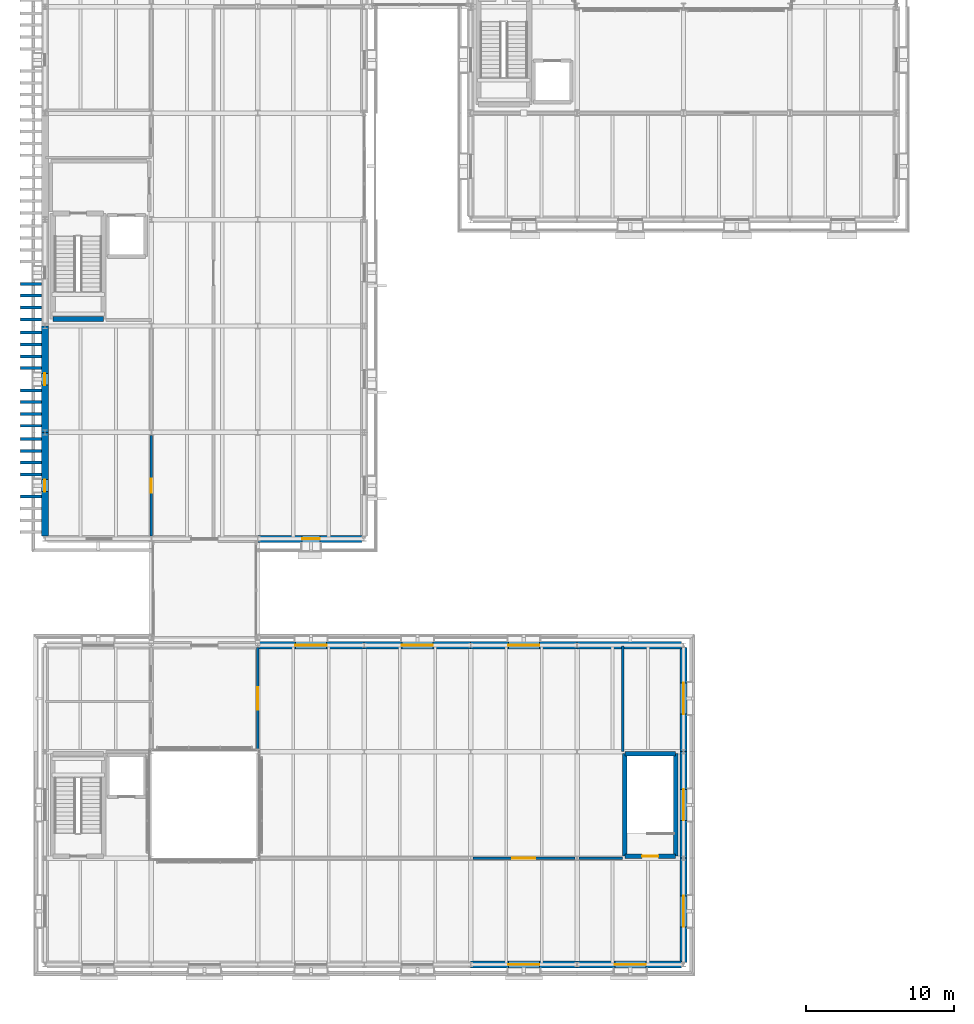
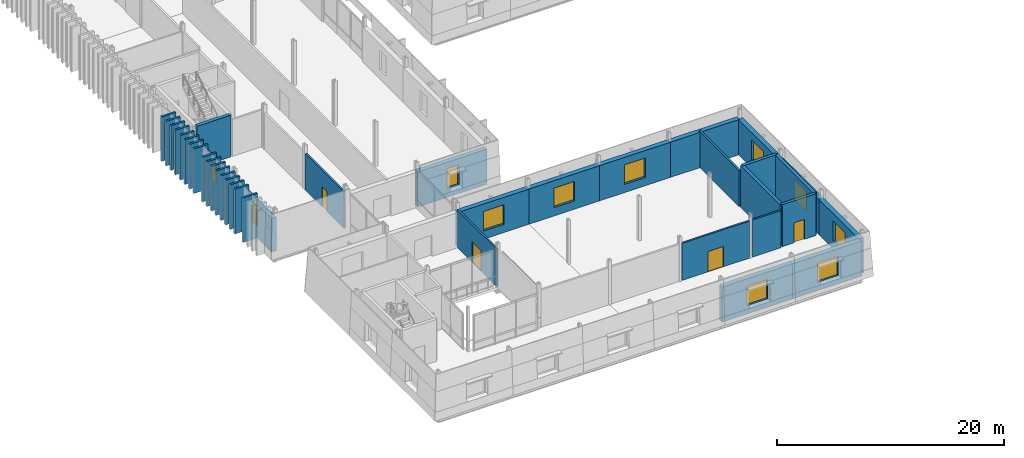
# One storey, part 75 of 121: 39 walls, 11 windows, 4 doors, 15 openings.
"""IFC4 building model written with IfcOpenShell, lengths in metres."""

from ifc_helpers import new_model, si_unit, direction, frame, frame_2d, origin, place, context, subcontext, project, spatial, rectangle, extrude, material, layer, layer_set, type_object, element, fill, save


model = new_model("IFC4")

# Units and contexts
model_context = context("Model", 3, precision=1e-05, world=origin(), true_north=direction((0.0, 1.0)))
body_context = subcontext(model_context, "Body", "Model", "MODEL_VIEW")
ifc_project = project(units=[si_unit("LENGTHUNIT", "METRE"), si_unit("AREAUNIT", "SQUARE_METRE"), si_unit("VOLUMEUNIT", "CUBIC_METRE"), si_unit("PLANEANGLEUNIT", "RADIAN"), si_unit("MASSUNIT", "GRAM", prefix="KILO")], contexts=[model_context])

# Site, building, storey
site_placement = place(None, origin())
site = spatial("IfcSite", under=ifc_project, at=site_placement, CompositionType="ELEMENT")
building_placement = place(site_placement, origin())
building = spatial("IfcBuilding", under=site, at=building_placement, Name="Narikvali Park Central Library", CompositionType="ELEMENT")
storey_placement = place(building_placement, frame((0.0, 0.0, 5.39990234375)))
storey = spatial("IfcBuildingStorey", under=building, at=storey_placement, Name="L01", CompositionType="ELEMENT", Elevation=5.39990234375)

# Walls
ifc_material_1 = material(Name="Kiln-Fired Terracotta Red Brick Masonry", Category="masonry")
ifc_layer_1 = layer(ifc_material_1, 0.199951171875, Name="Kiln-Fired Terracotta Red Brick Masonry")
ifc_layer_set_1 = layer_set([ifc_layer_1], Name="Kiln-Fired Terracotta Red Brick Masonry")
wall_type_1 = type_object("IfcWallType", Name="Kiln-Fired Red Brick Vertical Fin Wall 200", PredefinedType="SOLIDWALL", material=ifc_layer_set_1)
for number, where, z_axis, x_axis, name in (
    (1, (-1.659912109375, 31.64990234375, 0.0), (0.0, 0.0, 1.0), (1.0, 0.0, 0.0), "West Stacks Red Brick Vertical Fin Pier 014"),
    (2, (-1.659912109375, 33.14990234375, 0.0), (0.0, 0.0, 1.0), (1.0, 0.0, 0.0), "West Stacks Red Brick Vertical Fin Pier 018"),
    (3, (-1.659912109375, 33.949951171875, 0.0), (0.0, 0.0, 1.0), (1.0, 0.0, 0.0), "West Stacks Red Brick Vertical Fin Pier 022"),
    (4, (-1.659912109375, 34.75, 0.0), (0.0, 0.0, 1.0), (1.0, 0.0, 0.0), "West Stacks Red Brick Vertical Fin Pier 026"),
    (5, (-1.659912109375, 35.550048828125, 0.0), (0.0, 0.0, 1.0), (1.0, 0.0, 0.0), "West Stacks Red Brick Vertical Fin Pier 030"),
    (6, (-1.659912109375, 36.449951171875, 0.0), (0.0, 0.0, 1.0), (1.0, 0.0, 0.0), "West Stacks Red Brick Vertical Fin Pier 034"),
    (7, (-1.659912109375, 37.25, 0.0), (0.0, 0.0, 1.0), (1.0, 0.0, 0.0), "West Stacks Red Brick Vertical Fin Pier 039"),
    (8, (-1.659912109375, 38.050048828125, 0.0), (0.0, 0.0, 1.0), (1.0, 0.0, 0.0), "West Stacks Red Brick Vertical Fin Pier 044"),
    (9, (-1.659912109375, 38.85009765625, 0.0), (0.0, 0.0, 1.0), (1.0, 0.0, 0.0), "West Stacks Red Brick Vertical Fin Pier 049"),
    (10, (-1.659912109375, 40.35009765625, 0.0), (0.0, 0.0, 1.0), (1.0, 0.0, 0.0), "West Stacks Red Brick Vertical Fin Pier 054"),
    (11, (-1.659912109375, 41.14990234375, 0.0), (0.0, 0.0, 1.0), (1.0, 0.0, 0.0), "West Stacks Red Brick Vertical Fin Pier 059"),
    (12, (-1.659912109375, 41.949951171875, 0.0), (0.0, 0.0, 1.0), (1.0, 0.0, 0.0), "West Stacks Red Brick Vertical Fin Pier 064"),
    (13, (-1.659912109375, 42.75, 0.0), (0.0, 0.0, 1.0), (1.0, 0.0, 0.0), "West Stacks Red Brick Vertical Fin Pier 069"),
    (14, (-1.659912109375, 43.64990234375, 0.0), (0.0, 0.0, 1.0), (1.0, 0.0, 0.0), "West Stacks Red Brick Vertical Fin Pier 074"),
    (15, (-1.659912109375, 44.449951171875, 0.0), (0.0, 0.0, 1.0), (1.0, 0.0, 0.0), "West Stacks Red Brick Vertical Fin Pier 080"),
    (16, (-1.659912109375, 45.25, 0.0), (0.0, 0.0, 1.0), (1.0, 0.0, 0.0), "West Stacks Red Brick Vertical Fin Pier 086"),
    (17, (-1.659912109375, 46.050048828125, 0.0), (0.0, 0.0, 1.0), (1.0, 0.0, 0.0), "West Stacks Red Brick Vertical Fin Pier 092"),
):
    element("IfcWall", number, at=place(storey_placement, frame(where, z_axis=z_axis, x_axis=x_axis)), inside=storey, type_object=wall_type_1, Name=name, PredefinedType="SOLIDWALL", context=body_context, shape_type="SweptSolid", body=[
        extrude(rectangle(XDim=1.43994140625, YDim=0.199951171875, at=frame_2d((0.719970703125, 0.0))), origin(), (0.0, 0.0, 1.0), 4.800048828125),
    ])

# Wall, opening, door
ifc_material_2 = material(Name="Acoustic Gypsum on Steel Studs", Category="steel")
ifc_layer_2 = layer(ifc_material_2, 0.179931640625, Name="Acoustic Gypsum on Steel Studs")
ifc_layer_set_2 = layer_set([ifc_layer_2], Name="Acoustic Gypsum on Steel Studs")
wall_type_2 = type_object("IfcWallType", Name="Reading Room Acoustic Partition 180", PredefinedType="PARTITIONING", material=ifc_layer_set_2)
wall_1_placement = place(storey_placement, frame((28.944091796875, 7.199951171875, 0.0), z_axis=(0.0, 0.0, 1.0), x_axis=(1.0, 0.0, 0.0)))
wall_1 = element("IfcWall", 18, at=wall_1_placement, inside=storey, type_object=wall_type_2, Name="Children Digital Storytelling Studio Partition S", PredefinedType="PARTITIONING", context=body_context, shape_type="SweptSolid", body=[
    extrude(rectangle(XDim=6.911865234375, YDim=0.179931640625, at=frame_2d((3.4560546875, 0.0))), origin(), (0.0, 0.0, 1.0), 4.005126953125),
])
opening_1_placement = place(wall_1_placement, frame((2.680908203125, 0.0, 0.0)))
opening_1 = element("IfcOpeningElement", 19, at=opening_1_placement, cuts=wall_1, Name="Opening ID-0055", PredefinedType="OPENING", context=body_context, shape_type="SweptSolid", body=[
    extrude(rectangle(XDim=1.550048828125, YDim=2.199951171875, at=frame_2d((0.77490234375, 1.10009765625))), frame((0.0, 0.10205078125, 0.0), z_axis=(0.0, -1.0, 0.0), x_axis=(1.0, 0.0, 0.0)), (0.0, 0.0, 1.0), 0.203857421875),
])
ifc_material_3 = material(Name="Caucasian Oak with Vision Panel")
door_type_1 = type_object("IfcDoorType", Name="Children Library Colourful Oak Door 1550x2200", OperationType="DOUBLE_DOOR_SINGLE_SWING", PredefinedType="DOOR", material=ifc_material_3)
door_1_placement = place(opening_1_placement, origin())
door_1 = element("IfcDoor", 20, at=door_1_placement, inside=storey, type_object=door_type_1, Name="Children Digital Storytelling Studio Door ID-0055", OperationType="DOUBLE_DOOR_SINGLE_SWING", OverallHeight=2.199951171875, OverallWidth=1.550048828125, PredefinedType="DOOR", context=body_context, shape_type="SweptSolid", body=[
    extrude(rectangle(XDim=1.550048828125, YDim=2.199951171875, at=frame_2d((0.77490234375, 1.10009765625))), frame((0.0, 0.02490234375, 0.0), z_axis=(0.0, -1.0, 0.0), x_axis=(1.0, 0.0, 0.0)), (0.0, 0.0, 1.0), 0.050048828125),
])
fill(opening_1, door_1)

# Wall
wall_2_placement = place(storey_placement, frame((36.14404296875, 7.199951171875, 0.0), z_axis=(0.0, 0.0, 1.0), x_axis=(1.0, 0.0, 0.0)))
element("IfcWall", 21, at=wall_2_placement, inside=storey, type_object=wall_type_2, Name="Children Digital Storytelling Studio Partition S", PredefinedType="PARTITIONING", context=body_context, shape_type="SweptSolid", body=[
    extrude(rectangle(XDim=2.933837890625, YDim=0.179931640625, at=frame_2d((1.466796875, 0.0))), origin(), (0.0, 0.0, 1.0), 4.005126953125),
])

# Wall, opening, door
wall_3_placement = place(storey_placement, frame((14.39990234375, 14.5439453125, 0.0), z_axis=(0.0, 0.0, 1.0), x_axis=(0.0, 1.0, 0.0)))
wall_3 = element("IfcWall", 22, at=wall_3_placement, inside=storey, type_object=wall_type_2, Name="Children Digital Storytelling Studio Partition W", PredefinedType="PARTITIONING", context=body_context, shape_type="SweptSolid", body=[
    extrude(rectangle(XDim=6.912109375, YDim=0.179931640625, at=frame_2d((3.4560546875, 0.0))), origin(), (0.0, 0.0, 1.0), 4.065185546875),
])
opening_2_placement = place(wall_3_placement, frame((2.680908203125, 0.0, 0.0)))
opening_2 = element("IfcOpeningElement", 23, at=opening_2_placement, cuts=wall_3, Name="Opening ID-0056", PredefinedType="OPENING", context=body_context, shape_type="SweptSolid", body=[
    extrude(rectangle(XDim=1.550048828125, YDim=2.199951171875, at=frame_2d((0.77490234375, 1.10009765625))), frame((0.0, 0.10205078125, 0.0), z_axis=(0.0, -1.0, 0.0), x_axis=(1.0, 0.0, 0.0)), (0.0, 0.0, 1.0), 0.203857421875),
])
door_2_placement = place(opening_2_placement, frame((1.550048828125, 0.0, 0.0), z_axis=(0.0, 0.0, 1.0), x_axis=(-1.0, 0.0, 0.0)))
door_2 = element("IfcDoor", 24, at=door_2_placement, inside=storey, type_object=door_type_1, Name="Children Digital Storytelling Studio Door ID-0056", OperationType="DOUBLE_DOOR_SINGLE_SWING", OverallHeight=2.199951171875, OverallWidth=1.550048828125, PredefinedType="DOOR", context=body_context, shape_type="SweptSolid", body=[
    extrude(rectangle(XDim=1.550048828125, YDim=2.199951171875, at=frame_2d((0.77490234375, 1.10009765625))), frame((0.0, 0.02490234375, 0.0), z_axis=(0.0, -1.0, 0.0), x_axis=(1.0, 0.0, 0.0)), (0.0, 0.0, 1.0), 0.050048828125),
])
fill(opening_2, door_2)

# Wall
wall_4_placement = place(storey_placement, frame((39.10009765625, 14.422119140625, 0.0), z_axis=(0.0, 0.0, 1.0), x_axis=(0.0, 1.0, 0.0)))
element("IfcWall", 25, at=wall_4_placement, inside=storey, type_object=wall_type_2, Name="Children Digital Storytelling Studio Partition E", PredefinedType="PARTITIONING", context=body_context, shape_type="SweptSolid", body=[
    extrude(rectangle(XDim=7.122802734375, YDim=0.179931640625, at=frame_2d((3.5615234375, 0.0))), origin(), (0.0, 0.0, 1.0), 3.89501953125),
])

# Wall, opening, door
wall_5_placement = place(storey_placement, frame((7.199951171875, 28.9833984375, 0.0), z_axis=(0.0, 0.0, 1.0), x_axis=(0.0, 1.0, 0.0)))
wall_5 = element("IfcWall", 26, at=wall_5_placement, inside=storey, type_object=wall_type_2, Name="Acquisitions and Cataloguing Office L01 Partition E", PredefinedType="PARTITIONING", context=body_context, shape_type="SweptSolid", body=[
    extrude(rectangle(XDim=6.82421875, YDim=0.179931640625, at=frame_2d((3.412109375, 0.0))), origin(), (0.0, 0.0, 1.0), 3.945068359375),
])
opening_3_placement = place(wall_5_placement, frame((2.93701171875, 0.0, 0.0)))
opening_3 = element("IfcOpeningElement", 27, at=opening_3_placement, cuts=wall_5, Name="Opening ID-0118", PredefinedType="OPENING", context=body_context, shape_type="SweptSolid", body=[
    extrude(rectangle(XDim=0.949951171875, YDim=2.14990234375, at=frame_2d((0.47509765625, 1.074951171875))), frame((0.0, 0.10205078125, 0.0), z_axis=(0.0, -1.0, 0.0), x_axis=(1.0, 0.0, 0.0)), (0.0, 0.0, 1.0), 0.203857421875),
])
ifc_material_4 = material(Name="Solid Caucasian Oak")
door_type_2 = type_object("IfcDoorType", Name="Staff Cataloguing Office Door 950x2150", OperationType="SINGLE_SWING_LEFT", PredefinedType="DOOR", material=ifc_material_4)
door_3_placement = place(opening_3_placement, origin())
door_3 = element("IfcDoor", 28, at=door_3_placement, inside=storey, type_object=door_type_2, Name="Acquisitions and Cataloguing Office L01 Door ID-0118", OperationType="SINGLE_SWING_RIGHT", OverallHeight=2.14990234375, OverallWidth=0.949951171875, PredefinedType="DOOR", context=body_context, shape_type="SweptSolid", body=[
    extrude(rectangle(XDim=0.949951171875, YDim=2.14990234375, at=frame_2d((0.47509765625, 1.074951171875))), frame((0.0, 0.02490234375, 0.0), z_axis=(0.0, -1.0, 0.0), x_axis=(1.0, 0.0, 0.0)), (0.0, 0.0, 1.0), 0.050048828125),
])
fill(opening_3, door_3)

# Wall
ifc_material_5 = material(Name="Concrete C40/50", Category="concrete")
ifc_layer_3 = layer(ifc_material_5, 0.35009765625, Name="Concrete C40/50")
ifc_layer_set_3 = layer_set([ifc_layer_3], Name="Concrete C40/50")
wall_type_3 = type_object("IfcWallType", Name="Reinforced Concrete Core Shear Wall 350", PredefinedType="SHEAR", material=ifc_layer_set_3)
wall_6_placement = place(storey_placement, frame((0.530029296875, 43.679931640625, 0.0), z_axis=(0.0, 0.0, 1.0), x_axis=(1.0, 0.0, 0.0)))
element("IfcWall", 29, at=wall_6_placement, inside=storey, type_object=wall_type_3, Name="C5A L01 Stair Core Shear Wall S", PredefinedType="SHEAR", context=body_context, shape_type="SweptSolid", body=[
    extrude(rectangle(XDim=3.43994140625, YDim=0.35009765625, at=frame_2d((1.719970703125, 0.0))), origin(), (0.0, 0.0, 1.0), 4.5),
])

# Wall, opening, door
ifc_layer_4 = layer(ifc_material_5, 0.300048828125, Name="Concrete C40/50")
ifc_layer_set_4 = layer_set([ifc_layer_4], Name="Concrete C40/50")
wall_type_4 = type_object("IfcWallType", Name="Reinforced Concrete Shear Wall 300", PredefinedType="SHEAR", material=ifc_layer_set_4)
wall_7_placement = place(storey_placement, frame((39.22998046875, 7.330078125, 0.0), z_axis=(0.0, 0.0, 1.0), x_axis=(1.0, 0.0, 0.0)))
wall_7 = element("IfcWall", 30, at=wall_7_placement, inside=storey, type_object=wall_type_4, Name="C2B L01 Stair Core Shear Wall S", PredefinedType="SHEAR", context=body_context, shape_type="SweptSolid", body=[
    extrude(rectangle(XDim=3.43994140625, YDim=0.300048828125, at=frame_2d((1.719970703125, 0.0))), origin(), (0.0, 0.0, 1.0), 4.52001953125),
])
opening_4_placement = place(wall_7_placement, frame((1.169921875, 0.0, 0.0)))
opening_4 = element("IfcOpeningElement", 31, at=opening_4_placement, cuts=wall_7, Name="Opening SD-015", PredefinedType="OPENING", context=body_context, shape_type="SweptSolid", body=[
    extrude(rectangle(XDim=1.10009765625, YDim=2.14990234375, at=frame_2d((0.550048828125, 1.074951171875))), frame((0.0, 0.162109375, 0.0), z_axis=(0.0, -1.0, 0.0), x_axis=(1.0, 0.0, 0.0)), (0.0, 0.0, 1.0), 0.323974609375),
])
ifc_material_6 = material(Name="Powder-Coated Steel S275 Fire Leaf", Category="steel")
door_type_3 = type_object("IfcDoorType", Name="Stair Core Smoke-Control Fire Door 1100x2150", OperationType="SINGLE_SWING_LEFT", PredefinedType="DOOR", material=ifc_material_6)
door_4_placement = place(opening_4_placement, frame((1.10009765625, 0.0, 0.0), z_axis=(0.0, 0.0, 1.0), x_axis=(-1.0, 0.0, 0.0)))
door_4 = element("IfcDoor", 32, at=door_4_placement, inside=storey, type_object=door_type_3, Name="ST-04 L01 Stair Exit Door SD-015", OperationType="SINGLE_SWING_LEFT", OverallHeight=2.14990234375, OverallWidth=1.10009765625, PredefinedType="DOOR", context=body_context, shape_type="SweptSolid", body=[
    extrude(rectangle(XDim=1.10009765625, YDim=2.14990234375, at=frame_2d((0.550048828125, 1.074951171875))), frame((0.0, 0.02490234375, 0.0), z_axis=(0.0, -1.0, 0.0), x_axis=(1.0, 0.0, 0.0)), (0.0, 0.0, 1.0), 0.050048828125),
])
fill(opening_4, door_4)

# Walls
wall_8_placement = place(storey_placement, frame((42.669921875, 7.330078125, 0.0), z_axis=(0.0, 0.0, 1.0), x_axis=(0.0, 1.0, 0.0)))
element("IfcWall", 33, at=wall_8_placement, inside=storey, type_object=wall_type_4, Name="C2B L01 Stair Core Shear Wall E", PredefinedType="SHEAR", context=body_context, shape_type="SweptSolid", body=[
    extrude(rectangle(XDim=6.93994140625, YDim=0.300048828125, at=frame_2d((3.469970703125, 0.0))), origin(), (0.0, 0.0, 1.0), 4.52001953125),
])
wall_9_placement = place(storey_placement, frame((42.669921875, 14.27001953125, 0.0), z_axis=(0.0, 0.0, 1.0), x_axis=(-1.0, 0.0, 0.0)))
element("IfcWall", 34, at=wall_9_placement, inside=storey, type_object=wall_type_4, Name="C2B L01 Stair Core Shear Wall N", PredefinedType="SHEAR", context=body_context, shape_type="SweptSolid", body=[
    extrude(rectangle(XDim=3.43994140625, YDim=0.300048828125, at=frame_2d((1.719970703125, 0.0))), origin(), (0.0, 0.0, 1.0), 4.52001953125),
])
wall_10_placement = place(storey_placement, frame((39.22998046875, 14.27001953125, 0.0), z_axis=(0.0, 0.0, 1.0), x_axis=(0.0, -1.0, 0.0)))
element("IfcWall", 35, at=wall_10_placement, inside=storey, type_object=wall_type_4, Name="C2B L01 Stair Core Shear Wall W", PredefinedType="SHEAR", context=body_context, shape_type="SweptSolid", body=[
    extrude(rectangle(XDim=6.93994140625, YDim=0.300048828125, at=frame_2d((3.469970703125, 0.0))), origin(), (0.0, 0.0, 1.0), 4.52001953125),
])

# Wall, opening, window
ifc_material_7 = material(Name="White Honed Limestone over Concrete C35/45", Category="masonry")
ifc_layer_5 = layer(ifc_material_7, 0.47998046875, Name="White Honed Limestone over Concrete C35/45")
ifc_layer_set_5 = layer_set([ifc_layer_5], Name="White Honed Limestone over Concrete C35/45")
wall_type_5 = type_object("IfcWallType", Name="White Limestone Battered Tier1 Wall 480", PredefinedType="SOLIDWALL", material=ifc_layer_set_5)
wall_11_placement = place(storey_placement, frame((28.800048828125, 0.0, 0.0), z_axis=(0.0, 0.0, 1.0), x_axis=(1.0, 0.0, 0.0)))
wall_11 = element("IfcWall", 36, at=wall_11_placement, inside=storey, type_object=wall_type_5, Name="V2 L01 S Exterior Limestone Wall B05", PredefinedType="SOLIDWALL", context=body_context, shape_type="SweptSolid", body=[
    extrude(rectangle(XDim=7.199951171875, YDim=0.47998046875, at=frame_2d((3.60009765625, 0.0))), origin(), (0.0, 0.0, 1.0), 3.800048828125),
])
opening_5_placement = place(wall_11_placement, frame((2.550048828125, 0.0, 0.89990234375)))
opening_5 = element("IfcOpeningElement", 37, at=opening_5_placement, cuts=wall_11, Name="Opening WIN-0056", PredefinedType="OPENING", context=body_context, shape_type="SweptSolid", body=[
    extrude(rectangle(XDim=2.10009765625, YDim=2.10009765625, at=frame_2d((1.050048828125, 1.050048828125))), frame((0.0, 0.251953125, 0.0), z_axis=(0.0, -1.0, 0.0), x_axis=(1.0, 0.0, 0.0)), (0.0, 0.0, 1.0), 0.50390625),
])
ifc_material_8 = material(Name="Anodised Bronze Aluminium and Low-E Triple Glazing", Category="aluminium")
window_type_1 = type_object("IfcWindowType", Name="Children Pavilion Garden Window 2100x2100", PartitioningType="TRIPLE_PANEL_VERTICAL", PredefinedType="WINDOW", material=ifc_material_8)
window_1_placement = place(opening_5_placement, origin())
window_1 = element("IfcWindow", 38, at=window_1_placement, inside=storey, type_object=window_type_1, Name="V2 L01 S Deep-Reveal Window WIN-0056", OverallHeight=2.10009765625, OverallWidth=2.10009765625, PartitioningType="SINGLE_PANEL", PredefinedType="WINDOW", context=body_context, shape_type="SweptSolid", body=[
    extrude(rectangle(XDim=2.10009765625, YDim=2.10009765625, at=frame_2d((1.050048828125, 1.050048828125))), frame((0.0, 0.030029296875, 0.0), z_axis=(0.0, -1.0, 0.0), x_axis=(1.0, 0.0, 0.0)), (0.0, 0.0, 1.0), 0.06005859375),
])
fill(opening_5, window_1)

wall_12_placement = place(storey_placement, frame((36.0, 0.0, 0.0), z_axis=(0.0, 0.0, 1.0), x_axis=(1.0, 0.0, 0.0)))
wall_12 = element("IfcWall", 39, at=wall_12_placement, inside=storey, type_object=wall_type_5, Name="V2 L01 S Exterior Limestone Wall B06", PredefinedType="SOLIDWALL", context=body_context, shape_type="SweptSolid", body=[
    extrude(rectangle(XDim=7.055908203125, YDim=0.47998046875, at=frame_2d((3.52783203125, 0.0))), origin(), (0.0, 0.0, 1.0), 3.800048828125),
])
opening_6_placement = place(wall_12_placement, frame((2.550048828125, 0.0, 0.89990234375)))
opening_6 = element("IfcOpeningElement", 40, at=opening_6_placement, cuts=wall_12, Name="Opening WIN-0057", PredefinedType="OPENING", context=body_context, shape_type="SweptSolid", body=[
    extrude(rectangle(XDim=2.10009765625, YDim=2.10009765625, at=frame_2d((1.050048828125, 1.050048828125))), frame((0.0, 0.251953125, 0.0), z_axis=(0.0, -1.0, 0.0), x_axis=(1.0, 0.0, 0.0)), (0.0, 0.0, 1.0), 0.50390625),
])
window_2_placement = place(opening_6_placement, origin())
window_2 = element("IfcWindow", 41, at=window_2_placement, inside=storey, type_object=window_type_1, Name="V2 L01 S Deep-Reveal Window WIN-0057", OverallHeight=2.10009765625, OverallWidth=2.10009765625, PartitioningType="SINGLE_PANEL", PredefinedType="WINDOW", context=body_context, shape_type="SweptSolid", body=[
    extrude(rectangle(XDim=2.10009765625, YDim=2.10009765625, at=frame_2d((1.050048828125, 1.050048828125))), frame((0.0, 0.030029296875, 0.0), z_axis=(0.0, -1.0, 0.0), x_axis=(1.0, 0.0, 0.0)), (0.0, 0.0, 1.0), 0.06005859375),
])
fill(opening_6, window_2)

wall_13_placement = place(storey_placement, frame((43.199951171875, 0.14404296875, 0.0), z_axis=(0.0, 0.0, 1.0), x_axis=(0.0, 1.0, 0.0)))
wall_13 = element("IfcWall", 42, at=wall_13_placement, inside=storey, type_object=wall_type_5, Name="V2 L01 E Exterior Limestone Wall B01", PredefinedType="SOLIDWALL", context=body_context, shape_type="SweptSolid", body=[
    extrude(rectangle(XDim=7.055908203125, YDim=0.47998046875, at=frame_2d((3.52783203125, 0.0))), origin(), (0.0, 0.0, 1.0), 3.800048828125),
])
opening_7_placement = place(wall_13_placement, frame((2.406005859375, 0.0, 0.89990234375)))
opening_7 = element("IfcOpeningElement", 43, at=opening_7_placement, cuts=wall_13, Name="Opening WIN-0058", PredefinedType="OPENING", context=body_context, shape_type="SweptSolid", body=[
    extrude(rectangle(XDim=2.10009765625, YDim=2.10009765625, at=frame_2d((1.050048828125, 1.050048828125))), frame((0.0, 0.251953125, 0.0), z_axis=(0.0, -1.0, 0.0), x_axis=(1.0, 0.0, 0.0)), (0.0, 0.0, 1.0), 0.50390625),
])
window_3_placement = place(opening_7_placement, origin())
window_3 = element("IfcWindow", 44, at=window_3_placement, inside=storey, type_object=window_type_1, Name="V2 L01 E Deep-Reveal Window WIN-0058", OverallHeight=2.10009765625, OverallWidth=2.10009765625, PartitioningType="SINGLE_PANEL", PredefinedType="WINDOW", context=body_context, shape_type="SweptSolid", body=[
    extrude(rectangle(XDim=2.10009765625, YDim=2.10009765625, at=frame_2d((1.050048828125, 1.050048828125))), frame((0.0, 0.030029296875, 0.0), z_axis=(0.0, -1.0, 0.0), x_axis=(1.0, 0.0, 0.0)), (0.0, 0.0, 1.0), 0.06005859375),
])
fill(opening_7, window_3)

wall_14_placement = place(storey_placement, frame((43.199951171875, 7.199951171875, 0.0), z_axis=(0.0, 0.0, 1.0), x_axis=(0.0, 1.0, 0.0)))
wall_14 = element("IfcWall", 45, at=wall_14_placement, inside=storey, type_object=wall_type_5, Name="V2 L01 E Exterior Limestone Wall B02", PredefinedType="SOLIDWALL", context=body_context, shape_type="SweptSolid", body=[
    extrude(rectangle(XDim=7.199951171875, YDim=0.47998046875, at=frame_2d((3.60009765625, 0.0))), origin(), (0.0, 0.0, 1.0), 3.800048828125),
])
opening_8_placement = place(wall_14_placement, frame((2.550048828125, 0.0, 0.89990234375)))
opening_8 = element("IfcOpeningElement", 46, at=opening_8_placement, cuts=wall_14, Name="Opening WIN-0059", PredefinedType="OPENING", context=body_context, shape_type="SweptSolid", body=[
    extrude(rectangle(XDim=2.10009765625, YDim=2.10009765625, at=frame_2d((1.050048828125, 1.050048828125))), frame((0.0, 0.251953125, 0.0), z_axis=(0.0, -1.0, 0.0), x_axis=(1.0, 0.0, 0.0)), (0.0, 0.0, 1.0), 0.50390625),
])
window_4_placement = place(opening_8_placement, origin())
window_4 = element("IfcWindow", 47, at=window_4_placement, inside=storey, type_object=window_type_1, Name="V2 L01 E Deep-Reveal Window WIN-0059", OverallHeight=2.10009765625, OverallWidth=2.10009765625, PartitioningType="SINGLE_PANEL", PredefinedType="WINDOW", context=body_context, shape_type="SweptSolid", body=[
    extrude(rectangle(XDim=2.10009765625, YDim=2.10009765625, at=frame_2d((1.050048828125, 1.050048828125))), frame((0.0, 0.030029296875, 0.0), z_axis=(0.0, -1.0, 0.0), x_axis=(1.0, 0.0, 0.0)), (0.0, 0.0, 1.0), 0.06005859375),
])
fill(opening_8, window_4)

wall_15_placement = place(storey_placement, frame((43.199951171875, 14.39990234375, 0.0), z_axis=(0.0, 0.0, 1.0), x_axis=(0.0, 1.0, 0.0)))
wall_15 = element("IfcWall", 48, at=wall_15_placement, inside=storey, type_object=wall_type_5, Name="V2 L01 E Exterior Limestone Wall B03", PredefinedType="SOLIDWALL", context=body_context, shape_type="SweptSolid", body=[
    extrude(rectangle(XDim=7.05615234375, YDim=0.47998046875, at=frame_2d((3.528076171875, 0.0))), origin(), (0.0, 0.0, 1.0), 3.800048828125),
])
opening_9_placement = place(wall_15_placement, frame((2.550048828125, 0.0, 0.89990234375)))
opening_9 = element("IfcOpeningElement", 49, at=opening_9_placement, cuts=wall_15, Name="Opening WIN-0060", PredefinedType="OPENING", context=body_context, shape_type="SweptSolid", body=[
    extrude(rectangle(XDim=2.10009765625, YDim=2.10009765625, at=frame_2d((1.050048828125, 1.050048828125))), frame((0.0, 0.251953125, 0.0), z_axis=(0.0, -1.0, 0.0), x_axis=(1.0, 0.0, 0.0)), (0.0, 0.0, 1.0), 0.50390625),
])
window_5_placement = place(opening_9_placement, origin())
window_5 = element("IfcWindow", 50, at=window_5_placement, inside=storey, type_object=window_type_1, Name="V2 L01 E Deep-Reveal Window WIN-0060", OverallHeight=2.10009765625, OverallWidth=2.10009765625, PartitioningType="SINGLE_PANEL", PredefinedType="WINDOW", context=body_context, shape_type="SweptSolid", body=[
    extrude(rectangle(XDim=2.10009765625, YDim=2.10009765625, at=frame_2d((1.050048828125, 1.050048828125))), frame((0.0, 0.030029296875, 0.0), z_axis=(0.0, -1.0, 0.0), x_axis=(1.0, 0.0, 0.0)), (0.0, 0.0, 1.0), 0.06005859375),
])
fill(opening_9, window_5)

# Wall
wall_16_placement = place(storey_placement, frame((43.055908203125, 21.60009765625, 0.0), z_axis=(0.0, 0.0, 1.0), x_axis=(-1.0, 0.0, 0.0)))
element("IfcWall", 51, at=wall_16_placement, inside=storey, type_object=wall_type_5, Name="V2 L01 N Exterior Limestone Wall B01", PredefinedType="SOLIDWALL", context=body_context, shape_type="SweptSolid", body=[
    extrude(rectangle(XDim=7.055908203125, YDim=0.47998046875, at=frame_2d((3.52783203125, 0.0))), origin(), (0.0, 0.0, 1.0), 3.800048828125),
])

# Wall, opening, window
wall_17_placement = place(storey_placement, frame((36.0, 21.60009765625, 0.0), z_axis=(0.0, 0.0, 1.0), x_axis=(-1.0, 0.0, 0.0)))
wall_17 = element("IfcWall", 52, at=wall_17_placement, inside=storey, type_object=wall_type_5, Name="V2 L01 N Exterior Limestone Wall B02", PredefinedType="SOLIDWALL", context=body_context, shape_type="SweptSolid", body=[
    extrude(rectangle(XDim=7.199951171875, YDim=0.47998046875, at=frame_2d((3.60009765625, 0.0))), origin(), (0.0, 0.0, 1.0), 3.800048828125),
])
opening_10_placement = place(wall_17_placement, frame((2.550048828125, 0.0, 0.89990234375)))
opening_10 = element("IfcOpeningElement", 53, at=opening_10_placement, cuts=wall_17, Name="Opening WIN-0061", PredefinedType="OPENING", context=body_context, shape_type="SweptSolid", body=[
    extrude(rectangle(XDim=2.10009765625, YDim=2.10009765625, at=frame_2d((1.050048828125, 1.050048828125))), frame((0.0, 0.251953125, 0.0), z_axis=(0.0, -1.0, 0.0), x_axis=(1.0, 0.0, 0.0)), (0.0, 0.0, 1.0), 0.50390625),
])
window_6_placement = place(opening_10_placement, origin())
window_6 = element("IfcWindow", 54, at=window_6_placement, inside=storey, type_object=window_type_1, Name="V2 L01 N Deep-Reveal Window WIN-0061", OverallHeight=2.10009765625, OverallWidth=2.10009765625, PartitioningType="SINGLE_PANEL", PredefinedType="WINDOW", context=body_context, shape_type="SweptSolid", body=[
    extrude(rectangle(XDim=2.10009765625, YDim=2.10009765625, at=frame_2d((1.050048828125, 1.050048828125))), frame((0.0, 0.030029296875, 0.0), z_axis=(0.0, -1.0, 0.0), x_axis=(1.0, 0.0, 0.0)), (0.0, 0.0, 1.0), 0.06005859375),
])
fill(opening_10, window_6)

wall_18_placement = place(storey_placement, frame((28.800048828125, 21.60009765625, 0.0), z_axis=(0.0, 0.0, 1.0), x_axis=(-1.0, 0.0, 0.0)))
wall_18 = element("IfcWall", 55, at=wall_18_placement, inside=storey, type_object=wall_type_5, Name="V2 L01 N Exterior Limestone Wall B03", PredefinedType="SOLIDWALL", context=body_context, shape_type="SweptSolid", body=[
    extrude(rectangle(XDim=7.199951171875, YDim=0.47998046875, at=frame_2d((3.60009765625, 0.0))), origin(), (0.0, 0.0, 1.0), 3.800048828125),
])
opening_11_placement = place(wall_18_placement, frame((2.550048828125, 0.0, 0.89990234375)))
opening_11 = element("IfcOpeningElement", 56, at=opening_11_placement, cuts=wall_18, Name="Opening WIN-0062", PredefinedType="OPENING", context=body_context, shape_type="SweptSolid", body=[
    extrude(rectangle(XDim=2.10009765625, YDim=2.10009765625, at=frame_2d((1.050048828125, 1.050048828125))), frame((0.0, 0.251953125, 0.0), z_axis=(0.0, -1.0, 0.0), x_axis=(1.0, 0.0, 0.0)), (0.0, 0.0, 1.0), 0.50390625),
])
window_7_placement = place(opening_11_placement, origin())
window_7 = element("IfcWindow", 57, at=window_7_placement, inside=storey, type_object=window_type_1, Name="V2 L01 N Deep-Reveal Window WIN-0062", OverallHeight=2.10009765625, OverallWidth=2.10009765625, PartitioningType="SINGLE_PANEL", PredefinedType="WINDOW", context=body_context, shape_type="SweptSolid", body=[
    extrude(rectangle(XDim=2.10009765625, YDim=2.10009765625, at=frame_2d((1.050048828125, 1.050048828125))), frame((0.0, 0.030029296875, 0.0), z_axis=(0.0, -1.0, 0.0), x_axis=(1.0, 0.0, 0.0)), (0.0, 0.0, 1.0), 0.06005859375),
])
fill(opening_11, window_7)

wall_19_placement = place(storey_placement, frame((21.60009765625, 21.60009765625, 0.0), z_axis=(0.0, 0.0, 1.0), x_axis=(-1.0, 0.0, 0.0)))
wall_19 = element("IfcWall", 58, at=wall_19_placement, inside=storey, type_object=wall_type_5, Name="V2 L01 N Exterior Limestone Wall B04", PredefinedType="SOLIDWALL", context=body_context, shape_type="SweptSolid", body=[
    extrude(rectangle(XDim=7.2001953125, YDim=0.47998046875, at=frame_2d((3.60009765625, 0.0))), origin(), (0.0, 0.0, 1.0), 3.800048828125),
])
opening_12_placement = place(wall_19_placement, frame((2.550048828125, 0.0, 0.89990234375)))
opening_12 = element("IfcOpeningElement", 59, at=opening_12_placement, cuts=wall_19, Name="Opening WIN-0063", PredefinedType="OPENING", context=body_context, shape_type="SweptSolid", body=[
    extrude(rectangle(XDim=2.10009765625, YDim=2.10009765625, at=frame_2d((1.050048828125, 1.050048828125))), frame((0.0, 0.251953125, 0.0), z_axis=(0.0, -1.0, 0.0), x_axis=(1.0, 0.0, 0.0)), (0.0, 0.0, 1.0), 0.50390625),
])
window_8_placement = place(opening_12_placement, origin())
window_8 = element("IfcWindow", 60, at=window_8_placement, inside=storey, type_object=window_type_1, Name="V2 L01 N Deep-Reveal Window WIN-0063", OverallHeight=2.10009765625, OverallWidth=2.10009765625, PartitioningType="SINGLE_PANEL", PredefinedType="WINDOW", context=body_context, shape_type="SweptSolid", body=[
    extrude(rectangle(XDim=2.10009765625, YDim=2.10009765625, at=frame_2d((1.050048828125, 1.050048828125))), frame((0.0, 0.030029296875, 0.0), z_axis=(0.0, -1.0, 0.0), x_axis=(1.0, 0.0, 0.0)), (0.0, 0.0, 1.0), 0.06005859375),
])
fill(opening_12, window_8)

wall_20_placement = place(storey_placement, frame((14.39990234375, 28.800048828125, 0.0), z_axis=(0.0, 0.0, 1.0), x_axis=(1.0, 0.0, 0.0)))
wall_20 = element("IfcWall", 61, at=wall_20_placement, inside=storey, type_object=wall_type_5, Name="V5 L01 S Exterior Limestone Wall B03", PredefinedType="SOLIDWALL", context=body_context, shape_type="SweptSolid", body=[
    extrude(rectangle(XDim=7.04150390625, YDim=0.47998046875, at=frame_2d((3.520751953125, 0.0))), origin(), (0.0, 0.0, 1.0), 3.780029296875),
])
opening_13_placement = place(wall_20_placement, frame((3.0, 0.0, 0.949951171875)))
opening_13 = element("IfcOpeningElement", 62, at=opening_13_placement, cuts=wall_20, Name="Opening WIN-0242", PredefinedType="OPENING", context=body_context, shape_type="SweptSolid", body=[
    extrude(rectangle(XDim=1.199951171875, YDim=2.14990234375, at=frame_2d((0.60009765625, 1.074951171875))), frame((0.0, 0.251953125, 0.0), z_axis=(0.0, -1.0, 0.0), x_axis=(1.0, 0.0, 0.0)), (0.0, 0.0, 1.0), 0.50390625),
])
window_type_2 = type_object("IfcWindowType", Name="Stacks Archive Deep-Reveal Punched Window 1200x2150", PartitioningType="SINGLE_PANEL", PredefinedType="WINDOW", material=ifc_material_8)
window_9_placement = place(opening_13_placement, origin())
window_9 = element("IfcWindow", 63, at=window_9_placement, inside=storey, type_object=window_type_2, Name="V5 L01 S Deep-Reveal Window WIN-0242", OverallHeight=2.14990234375, OverallWidth=1.199951171875, PartitioningType="SINGLE_PANEL", PredefinedType="WINDOW", context=body_context, shape_type="SweptSolid", body=[
    extrude(rectangle(XDim=1.199951171875, YDim=2.14990234375, at=frame_2d((0.60009765625, 1.074951171875))), frame((0.0, 0.030029296875, 0.0), z_axis=(0.0, -1.0, 0.0), x_axis=(1.0, 0.0, 0.0)), (0.0, 0.0, 1.0), 0.06005859375),
])
fill(opening_13, window_9)

wall_21_placement = place(storey_placement, frame((0.0, 43.199951171875, 0.0), z_axis=(0.0, 0.0, 1.0), x_axis=(0.0, -1.0, 0.0)))
wall_21 = element("IfcWall", 64, at=wall_21_placement, inside=storey, type_object=wall_type_5, Name="V5 L01 W Exterior Limestone Wall B10", PredefinedType="SOLIDWALL", context=body_context, shape_type="SweptSolid", body=[
    extrude(rectangle(XDim=7.199951171875, YDim=0.47998046875, at=frame_2d((3.60009765625, 0.0))), origin(), (0.0, 0.0, 1.0), 3.6201171875),
])
opening_14_placement = place(wall_21_placement, frame((3.199951171875, 0.0, 0.949951171875)))
opening_14 = element("IfcOpeningElement", 65, at=opening_14_placement, cuts=wall_21, Name="Opening WIN-0260", PredefinedType="OPENING", context=body_context, shape_type="SweptSolid", body=[
    extrude(rectangle(XDim=0.800048828125, YDim=2.14990234375, at=frame_2d((0.39990234375, 1.074951171875))), frame((0.0, 0.251953125, 0.0), z_axis=(0.0, -1.0, 0.0), x_axis=(1.0, 0.0, 0.0)), (0.0, 0.0, 1.0), 0.50390625),
])
window_type_3 = type_object("IfcWindowType", Name="West Fin-Bay Narrow Carrel Slot Window 800x2150", PartitioningType="SINGLE_PANEL", PredefinedType="WINDOW", material=ifc_material_8)
window_10_placement = place(opening_14_placement, origin())
window_10 = element("IfcWindow", 66, at=window_10_placement, inside=storey, type_object=window_type_3, Name="V5 L01 W Deep-Reveal Window WIN-0260", OverallHeight=2.14990234375, OverallWidth=0.800048828125, PartitioningType="SINGLE_PANEL", PredefinedType="WINDOW", context=body_context, shape_type="SweptSolid", body=[
    extrude(rectangle(XDim=0.800048828125, YDim=2.14990234375, at=frame_2d((0.39990234375, 1.074951171875))), frame((0.0, 0.030029296875, 0.0), z_axis=(0.0, -1.0, 0.0), x_axis=(1.0, 0.0, 0.0)), (0.0, 0.0, 1.0), 0.06005859375),
])
fill(opening_14, window_10)

wall_22_placement = place(storey_placement, frame((0.0, 36.0, 0.0), z_axis=(0.0, 0.0, 1.0), x_axis=(0.0, -1.0, 0.0)))
wall_22 = element("IfcWall", 67, at=wall_22_placement, inside=storey, type_object=wall_type_5, Name="V5 L01 W Exterior Limestone Wall B11", PredefinedType="SOLIDWALL", context=body_context, shape_type="SweptSolid", body=[
    extrude(rectangle(XDim=7.0166015625, YDim=0.47998046875, at=frame_2d((3.50830078125, 0.0))), origin(), (0.0, 0.0, 1.0), 3.6201171875),
])
opening_15_placement = place(wall_22_placement, frame((3.199951171875, 0.0, 0.949951171875)))
opening_15 = element("IfcOpeningElement", 68, at=opening_15_placement, cuts=wall_22, Name="Opening WIN-0261", PredefinedType="OPENING", context=body_context, shape_type="SweptSolid", body=[
    extrude(rectangle(XDim=0.800048828125, YDim=2.14990234375, at=frame_2d((0.39990234375, 1.074951171875))), frame((0.0, 0.251953125, 0.0), z_axis=(0.0, -1.0, 0.0), x_axis=(1.0, 0.0, 0.0)), (0.0, 0.0, 1.0), 0.50390625),
])
window_11_placement = place(opening_15_placement, origin())
window_11 = element("IfcWindow", 69, at=window_11_placement, inside=storey, type_object=window_type_3, Name="V5 L01 W Deep-Reveal Window WIN-0261", OverallHeight=2.14990234375, OverallWidth=0.800048828125, PartitioningType="SINGLE_PANEL", PredefinedType="WINDOW", context=body_context, shape_type="SweptSolid", body=[
    extrude(rectangle(XDim=0.800048828125, YDim=2.14990234375, at=frame_2d((0.39990234375, 1.074951171875))), frame((0.0, 0.030029296875, 0.0), z_axis=(0.0, -1.0, 0.0), x_axis=(1.0, 0.0, 0.0)), (0.0, 0.0, 1.0), 0.06005859375),
])
fill(opening_15, window_11)

save(model, "model.ifc")
